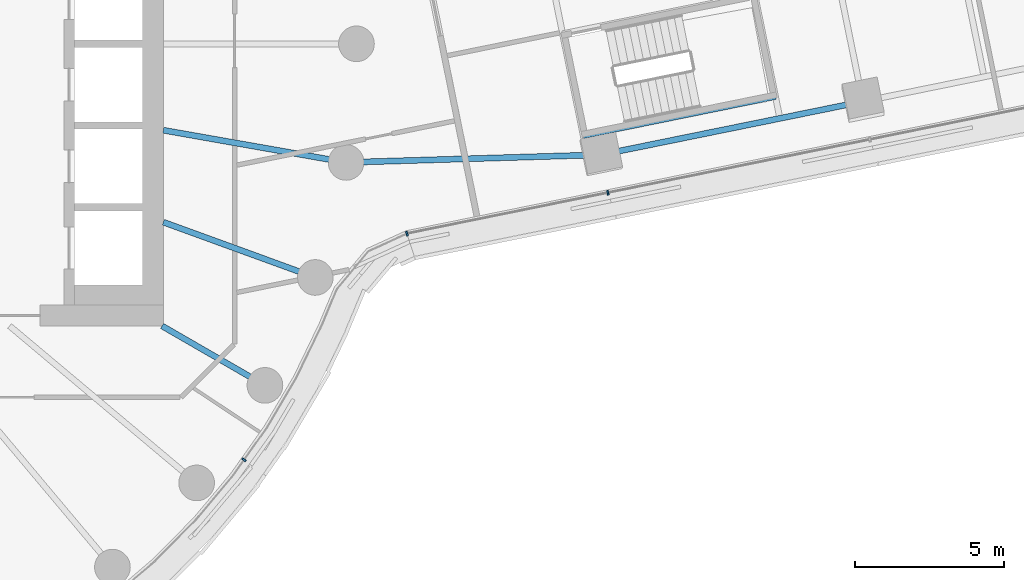
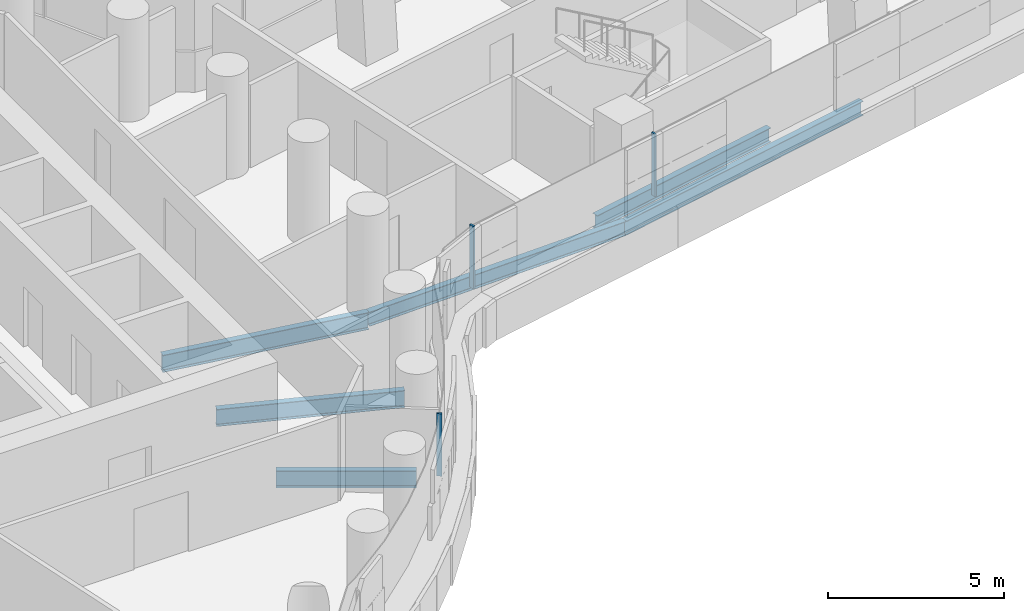
# One storey, part 9 of 31: 6 beams, 3 members, 2 elements without a shape of their own.
"""IFC4 building model written with IfcOpenShell, lengths in metres."""

from ifc_helpers import new_model, si_unit, direction, frame, origin, origin_2d, place, context, subcontext, project, spatial, rectangle, i_section, extrude, material, layer, layer_set, material_profile, profile_set, type_object, element, aggregate, save


model = new_model("IFC4")

# Units and contexts
model_context = context("Model", 3, precision=1e-05, world=origin(), true_north=direction((0.0, 1.0)))
body_context = subcontext(model_context, "Body", "Model", "MODEL_VIEW")
ifc_project = project(units=[si_unit("LENGTHUNIT", "METRE"), si_unit("AREAUNIT", "SQUARE_METRE"), si_unit("VOLUMEUNIT", "CUBIC_METRE"), si_unit("PLANEANGLEUNIT", "RADIAN"), si_unit("MASSUNIT", "GRAM", prefix="KILO")], contexts=[model_context])

# Site, building, storey
site_placement = place(None, origin())
site = spatial("IfcSite", under=ifc_project, at=site_placement, CompositionType="ELEMENT")
building_placement = place(site_placement, origin())
building = spatial("IfcBuilding", under=site, at=building_placement, Name="Tamarind Cross Interchange Tower", CompositionType="ELEMENT")
storey_placement = place(building_placement, frame((0.0, 0.0, 75.25)))
storey = spatial("IfcBuildingStorey", under=building, at=storey_placement, Name="L17", CompositionType="ELEMENT", Elevation=75.25)

# Beams
ifc_material_1 = material(Name="Steel Q355B", Category="steel")
ifc_material_profile_1 = material_profile(ifc_material_1, i_section(OverallWidth=0.198974609375, OverallDepth=0.49609375, WebThickness=0.009033203125, FlangeThickness=0.013916015625, FilletRadius=0.012939453125, at=origin_2d()), Name="HN 496x199x9x14")
ifc_profile_set_1 = profile_set([ifc_material_profile_1], Name="Steel Q355B")
beam_type_1 = type_object("IfcBeamType", Name="Composite beam HN 496x199x9x14 Q355B", PredefinedType="BEAM", material=ifc_profile_set_1)
beam_1_placement = place(storey_placement, frame((40.049072265625, -1.94287109375, -0.387939453125), z_axis=(-0.979949680968, -0.199245132366, 0.0), x_axis=(0.199245132366, -0.979949680968, 0.0)))
element("IfcBeam", 1, at=beam_1_placement, inside=storey, type_object=beam_type_1, Name="Beam E-edgeem6", PredefinedType="BEAM", context=body_context, shape_type="SweptSolid", body=[
    extrude(i_section(OverallWidth=0.198974609375, OverallDepth=0.49609375, WebThickness=0.009033203125, FlangeThickness=0.013916015625, FilletRadius=0.012939453125, at=origin_2d()), origin(), (0.0, 0.0, 1.0), 9.0),
])
beam_2_placement = place(storey_placement, frame((31.2294921875, -3.736083984375, -0.387939453125), z_axis=(-0.999548741912, -0.030038517643, 0.0), x_axis=(0.030038517643, -0.999548741912, 0.0)))
element("IfcBeam", 2, at=beam_2_placement, inside=storey, type_object=beam_type_1, Name="Beam E-linkem", PredefinedType="BEAM", context=body_context, shape_type="SweptSolid", body=[
    extrude(i_section(OverallWidth=0.198974609375, OverallDepth=0.49609375, WebThickness=0.009033203125, FlangeThickness=0.013916015625, FilletRadius=0.012939453125, at=origin_2d()), origin(), (0.0, 0.0, 1.0), 8.582763671875),
])
beam_3_placement = place(storey_placement, frame((30.638916015625, -3.090576171875, -0.387939453125), z_axis=(0.979952577823, 0.199230884197, 0.0), x_axis=(-0.199230884197, 0.979952577823, 0.0)))
element("IfcBeam", 3, at=beam_3_placement, inside=storey, type_object=beam_type_1, Name="Beam E-tr0", PredefinedType="BEAM", context=body_context, shape_type="SweptSolid", body=[
    extrude(i_section(OverallWidth=0.198974609375, OverallDepth=0.49609375, WebThickness=0.009033203125, FlangeThickness=0.013916015625, FilletRadius=0.012939453125, at=origin_2d()), origin(), (0.0, 0.0, 1.0), 6.60009765625),
])
ifc_material_profile_2 = material_profile(ifc_material_1, i_section(OverallWidth=0.198974609375, OverallDepth=0.595947265625, WebThickness=0.010009765625, FlangeThickness=0.014892578125, FilletRadius=0.012939453125, at=origin_2d()), Name="HN 596x199x10x15")
ifc_profile_set_2 = profile_set([ifc_material_profile_2], Name="Steel Q355B")
beam_type_2 = type_object("IfcBeamType", Name="Composite beam HN 596x199x10x15 Q355B", PredefinedType="BEAM", material=ifc_profile_set_2)
beam_4_placement = place(storey_placement, frame((19.918701171875, -11.5, -0.43798828125), z_axis=(-0.866026010844, 0.49999894854, 0.0), x_axis=(-0.49999894854, -0.866026010844, 0.0)))
element("IfcBeam", 4, at=beam_4_placement, inside=storey, type_object=beam_type_2, Name="Beam HH33", PredefinedType="BEAM", context=body_context, shape_type="SweptSolid", body=[
    extrude(i_section(OverallWidth=0.198974609375, OverallDepth=0.595947265625, WebThickness=0.010009765625, FlangeThickness=0.014892578125, FilletRadius=0.012939453125, at=origin_2d()), origin(), (0.0, 0.0, 1.0), 4.0),
])
beam_5_placement = place(storey_placement, frame((21.613037109375, -7.866455078125, -0.43798828125), z_axis=(-0.939701685589, 0.341995236956, 0.0), x_axis=(-0.341995236956, -0.939701685589, 0.0)))
element("IfcBeam", 5, at=beam_5_placement, inside=storey, type_object=beam_type_2, Name="Beam HH34", PredefinedType="BEAM", context=body_context, shape_type="SweptSolid", body=[
    extrude(i_section(OverallWidth=0.198974609375, OverallDepth=0.595947265625, WebThickness=0.010009765625, FlangeThickness=0.014892578125, FilletRadius=0.012939453125, at=origin_2d()), origin(), (0.0, 0.0, 1.0), 5.441162109375),
])
beam_6_placement = place(storey_placement, frame((22.650634765625, -3.993896484375, -0.43798828125), z_axis=(-0.984809127561, 0.173640382036, 0.0), x_axis=(-0.173640382036, -0.984809127561, 0.0)))
element("IfcBeam", 6, at=beam_6_placement, inside=storey, type_object=beam_type_2, Name="Beam HH35", PredefinedType="BEAM", context=body_context, shape_type="SweptSolid", body=[
    extrude(i_section(OverallWidth=0.198974609375, OverallDepth=0.595947265625, WebThickness=0.010009765625, FlangeThickness=0.014892578125, FilletRadius=0.012939453125, at=origin_2d()), origin(), (0.0, 0.0, 1.0), 6.24560546875),
])

# Curtain wall, member
ifc_material_2 = material(Name="Aluminium 6063-T6", Category="aluminium")
ifc_layer = layer(ifc_material_2, 0.159912109375)
ifc_layer_set = layer_set([ifc_layer], Name="Aluminium 6063-T6")
curtain_wall_type = type_object("IfcCurtainWallType", Name="Office curtain wall, 9.0 m bays", PredefinedType="NOTDEFINED", material=ifc_layer_set)
curtain_wall_1_placement = place(storey_placement, origin())
curtain_wall_1 = element("IfcCurtainWall", 7, at=curtain_wall_1_placement, inside=storey, type_object=curtain_wall_type, Name="CWS-L17-06", PredefinedType="NOTDEFINED")
ifc_material_profile_3 = material_profile(ifc_material_2, rectangle(XDim=0.06005859375, YDim=0.159912109375, at=origin_2d()), Name="Mullion CW1")
ifc_profile_set_3 = profile_set([ifc_material_profile_3], Name="Aluminium 6063-T6")
member_type = type_object("IfcMemberType", Name="Mullion CW1", PredefinedType="MULLION", material=ifc_profile_set_3)
member_1_placement = place(storey_placement, frame((19.21435546875, -14.007080078125, 1.39990234375), z_axis=(0.0, 0.0, 1.0), x_axis=(0.577568978284, 0.816341886298, 0.0)))
member_1 = element("IfcMember", 8, at=member_1_placement, type_object=member_type, Name="CWM-L17-06-02", PredefinedType="MULLION", context=body_context, shape_type="SweptSolid", body=[
    extrude(rectangle(XDim=0.06005859375, YDim=0.159912109375, at=origin_2d()), origin(), (0.0, 0.0, 1.0), 2.170166015625),
])
aggregate(curtain_wall_1, [member_1])

# Curtain wall, members
curtain_wall_2_placement = place(storey_placement, origin())
curtain_wall_2 = element("IfcCurtainWall", 9, at=curtain_wall_2_placement, inside=storey, type_object=curtain_wall_type, Name="CWS-L17-07", PredefinedType="NOTDEFINED")
member_2_placement = place(storey_placement, frame((24.697998046875, -6.390625, 1.39990234375), z_axis=(0.0, 0.0, 1.0), x_axis=(0.951120893865, 0.308818790318, 0.0)))
member_2 = element("IfcMember", 10, at=member_2_placement, type_object=member_type, Name="CWM-L17-07-00", PredefinedType="MULLION", context=body_context, shape_type="SweptSolid", body=[
    extrude(rectangle(XDim=0.06005859375, YDim=0.159912109375, at=origin_2d()), origin(), (0.0, 0.0, 1.0), 2.170166015625),
])
member_3_placement = place(storey_placement, frame((31.465087890625, -5.0146484375, 1.39990234375), z_axis=(0.0, 0.0, 1.0), x_axis=(0.979949750197, 0.199244791873, 0.0)))
member_3 = element("IfcMember", 11, at=member_3_placement, type_object=member_type, Name="CWM-L17-07-01", PredefinedType="MULLION", context=body_context, shape_type="SweptSolid", body=[
    extrude(rectangle(XDim=0.06005859375, YDim=0.159912109375, at=origin_2d()), origin(), (0.0, 0.0, 1.0), 2.170166015625),
])
aggregate(curtain_wall_2, [member_2, member_3])

save(model, "model.ifc")
